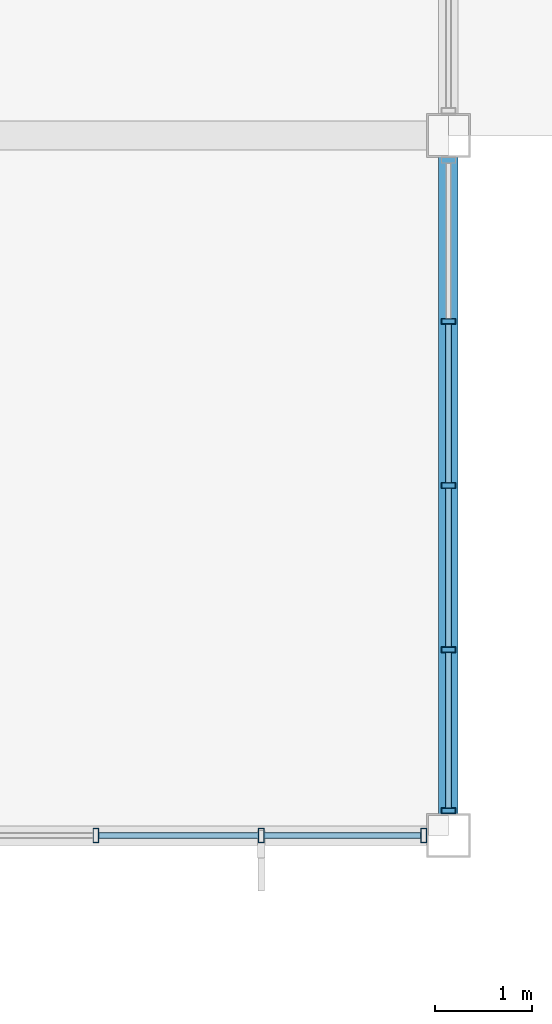
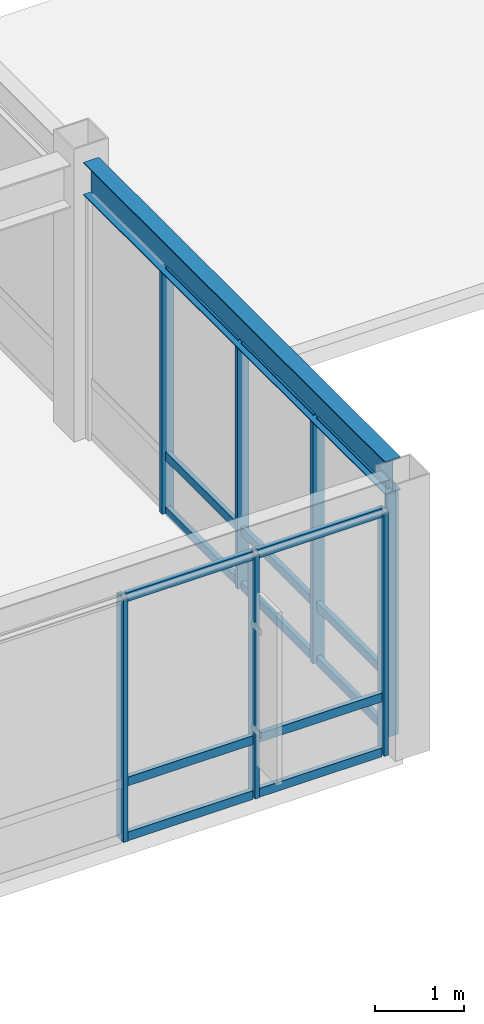
# One storey, part 36 of 113: 22 members, 1 beam, 2 elements without a shape of their own.
"""IFC4 building model written with IfcOpenShell, lengths in metres."""

from ifc_helpers import new_model, si_unit, direction, frame, origin, origin_2d, place, context, subcontext, project, spatial, hollow_rectangle, i_section, extrude, material, material_profile, profile_set, type_object, element, aggregate, save


model = new_model("IFC4")

# Units and contexts
model_context = context("Model", 3, precision=1e-05, world=origin(), true_north=direction((0.0, 1.0)))
body_context = subcontext(model_context, "Body", "Model", "MODEL_VIEW")
ifc_project = project(units=[si_unit("LENGTHUNIT", "METRE"), si_unit("AREAUNIT", "SQUARE_METRE"), si_unit("VOLUMEUNIT", "CUBIC_METRE"), si_unit("PLANEANGLEUNIT", "RADIAN"), si_unit("MASSUNIT", "GRAM", prefix="KILO")], contexts=[model_context])

# Site, building, storey
site_placement = place(None, origin())
site = spatial("IfcSite", under=ifc_project, at=site_placement, CompositionType="ELEMENT")
building_placement = place(site_placement, origin())
building = spatial("IfcBuilding", under=site, at=building_placement, Name="Kazanami Central Library", CompositionType="ELEMENT")
storey_placement = place(building_placement, frame((0.0, 0.0, 8.800048828125)))
storey = spatial("IfcBuildingStorey", under=building, at=storey_placement, Name="L03", CompositionType="ELEMENT", Elevation=8.800048828125)

# Beam
ifc_material_1 = material(Name="Steel SN490B (325 MPa)", Category="steel")
ifc_material_profile_1 = material_profile(ifc_material_1, i_section(OverallWidth=0.199951171875, OverallDepth=0.449951171875, WebThickness=0.009033203125, FlangeThickness=0.013916015625, at=origin_2d()), Name="H-450x200x9x14")
ifc_profile_set_1 = profile_set([ifc_material_profile_1], Name="Steel SN490B (325 MPa)")
beam_type = type_object("IfcBeamType", Name="BM-SP-2", PredefinedType="SPANDREL", material=ifc_profile_set_1)
beam_placement = place(storey_placement, frame((36.0, 57.822998046875, 3.554931640625), z_axis=(0.0, 1.0, 0.0), x_axis=(-1.0, 0.0, 0.0)))
element("IfcBeam", 1, at=beam_placement, inside=storey, type_object=beam_type, Name="Girder SP-2 L03 5/J-K", PredefinedType="SPANDREL", context=body_context, shape_type="SweptSolid", body=[
    extrude(i_section(OverallWidth=0.199951171875, OverallDepth=0.449951171875, WebThickness=0.009033203125, FlangeThickness=0.013916015625, at=origin_2d()), origin(), (0.0, 0.0, 1.0), 6.75390625),
])

# Curtain wall, members
ifc_material_2 = material(Name="Acid-Etched Low-E Laminated Glass", Category="glass")
curtain_wall_type_1 = type_object("IfcCurtainWallType", Name="CW-8500x3330-M180", PredefinedType="USERDEFINED", material=ifc_material_2)
curtain_wall_1_placement = place(storey_placement, origin())
curtain_wall_1 = element("IfcCurtainWall", 2, at=curtain_wall_1_placement, inside=storey, type_object=curtain_wall_type_1, Name="Unitised Curtain Wall CW-28 L03 S-J-03", ObjectType="UNITISED CURTAIN WALL", PredefinedType="USERDEFINED")
ifc_material_3 = material(Name="Anodised Aluminium A6063-T5", Category="aluminium")
ifc_material_profile_2 = material_profile(ifc_material_3, hollow_rectangle(XDim=0.06005859375, YDim=0.14990234375, WallThickness=0.00390625, at=origin_2d()), Name="ALU-MULL-60x150x4")
ifc_profile_set_2 = profile_set([ifc_material_profile_2], Name="Anodised Aluminium A6063-T5")
member_type_1 = type_object("IfcMemberType", Name="MEM-CW-M3", PredefinedType="MULLION", material=ifc_profile_set_2)
member_1_placement = place(storey_placement, frame((32.375, 57.60009765625, 0.0), z_axis=(0.0, 0.0, 1.0), x_axis=(1.0, 0.0, 0.0)))
member_1 = element("IfcMember", 3, at=member_1_placement, type_object=member_type_1, Name="CW-28 mullion 4", PredefinedType="MULLION", context=body_context, shape_type="SweptSolid", body=[
    extrude(hollow_rectangle(XDim=0.06005859375, YDim=0.14990234375, WallThickness=0.00390625, at=origin_2d()), origin(), (0.0, 0.0, 1.0), 3.329833984375),
])
member_2_placement = place(storey_placement, frame((34.074951171875, 57.60009765625, 0.0), z_axis=(0.0, 0.0, 1.0), x_axis=(1.0, 0.0, 0.0)))
member_2 = element("IfcMember", 4, at=member_2_placement, type_object=member_type_1, Name="CW-28 mullion 5", PredefinedType="MULLION", context=body_context, shape_type="SweptSolid", body=[
    extrude(hollow_rectangle(XDim=0.06005859375, YDim=0.14990234375, WallThickness=0.00390625, at=origin_2d()), origin(), (0.0, 0.0, 1.0), 3.329833984375),
])
member_3_placement = place(storey_placement, frame((35.7451171875, 57.60009765625, 0.0), z_axis=(0.0, 0.0, 1.0), x_axis=(1.0, 0.0, 0.0)))
member_3 = element("IfcMember", 5, at=member_3_placement, type_object=member_type_1, Name="CW-28 mullion 6", PredefinedType="MULLION", context=body_context, shape_type="SweptSolid", body=[
    extrude(hollow_rectangle(XDim=0.06005859375, YDim=0.14990234375, WallThickness=0.00390625, at=origin_2d()), origin(), (0.0, 0.0, 1.0), 3.329833984375),
])

curtain_wall_type_2 = type_object("IfcCurtainWallType", Name="CW-6750x3330-M180", PredefinedType="USERDEFINED", material=ifc_material_2)
curtain_wall_2_placement = place(storey_placement, origin())
curtain_wall_2 = element("IfcCurtainWall", 6, at=curtain_wall_2_placement, inside=storey, type_object=curtain_wall_type_2, Name="Covered Link Bridge Curtain Wall CW-34 L03 E-5-08", ObjectType="UNITISED CURTAIN WALL", PredefinedType="USERDEFINED")
member_4_placement = place(storey_placement, frame((36.0, 62.887451171875, 0.0), z_axis=(0.0, 0.0, 1.0), x_axis=(0.0, -1.0, 0.0)))
member_4 = element("IfcMember", 7, at=member_4_placement, type_object=member_type_1, Name="CW-34 mullion 2", PredefinedType="MULLION", context=body_context, shape_type="SweptSolid", body=[
    extrude(hollow_rectangle(XDim=0.06005859375, YDim=0.14990234375, WallThickness=0.00390625, at=origin_2d()), origin(), (0.0, 0.0, 1.0), 3.329833984375),
])
member_5_placement = place(storey_placement, frame((36.0, 61.199951171875, 0.0), z_axis=(0.0, 0.0, 1.0), x_axis=(0.0, -1.0, 0.0)))
member_5 = element("IfcMember", 8, at=member_5_placement, type_object=member_type_1, Name="CW-34 mullion 3", PredefinedType="MULLION", context=body_context, shape_type="SweptSolid", body=[
    extrude(hollow_rectangle(XDim=0.06005859375, YDim=0.14990234375, WallThickness=0.00390625, at=origin_2d()), origin(), (0.0, 0.0, 1.0), 3.329833984375),
])
member_6_placement = place(storey_placement, frame((36.0, 59.512451171875, 0.0), z_axis=(0.0, 0.0, 1.0), x_axis=(0.0, -1.0, 0.0)))
member_6 = element("IfcMember", 9, at=member_6_placement, type_object=member_type_1, Name="CW-34 mullion 4", PredefinedType="MULLION", context=body_context, shape_type="SweptSolid", body=[
    extrude(hollow_rectangle(XDim=0.06005859375, YDim=0.14990234375, WallThickness=0.00390625, at=origin_2d()), origin(), (0.0, 0.0, 1.0), 3.329833984375),
])
member_7_placement = place(storey_placement, frame((36.0, 57.85498046875, 0.0), z_axis=(0.0, 0.0, 1.0), x_axis=(0.0, -1.0, 0.0)))
member_7 = element("IfcMember", 10, at=member_7_placement, type_object=member_type_1, Name="CW-34 mullion 5", PredefinedType="MULLION", context=body_context, shape_type="SweptSolid", body=[
    extrude(hollow_rectangle(XDim=0.06005859375, YDim=0.14990234375, WallThickness=0.00390625, at=origin_2d()), origin(), (0.0, 0.0, 1.0), 3.329833984375),
])

# Member
ifc_material_profile_3 = material_profile(ifc_material_3, hollow_rectangle(XDim=0.06005859375, YDim=0.1201171875, WallThickness=0.00341796875, at=origin_2d()), Name="ALU-TRAN-60x120x3.5")
ifc_profile_set_3 = profile_set([ifc_material_profile_3], Name="Anodised Aluminium A6063-T5")
member_type_2 = type_object("IfcMemberType", Name="MEM-CW-T3", PredefinedType="USERDEFINED", material=ifc_profile_set_3)
member_8_placement = place(storey_placement, frame((32.405029296875, 57.60009765625, 0.030029296875), z_axis=(1.0, 0.0, 0.0), x_axis=(0.0, 1.0, 0.0)))
member_8 = element("IfcMember", 11, at=member_8_placement, type_object=member_type_2, Name="CW-28 transom 4.1", ObjectType="TRANSOM", PredefinedType="USERDEFINED", context=body_context, shape_type="SweptSolid", body=[
    extrude(hollow_rectangle(XDim=0.06005859375, YDim=0.1201171875, WallThickness=0.00341796875, at=origin_2d()), origin(), (0.0, 0.0, 1.0), 1.639892578125),
])

member_9_placement = place(storey_placement, frame((32.405029296875, 57.60009765625, 0.780029296875), z_axis=(1.0, 0.0, 0.0), x_axis=(0.0, 1.0, 0.0)))
member_9 = element("IfcMember", 12, at=member_9_placement, type_object=member_type_2, Name="CW-28 transom 4.2", ObjectType="TRANSOM", PredefinedType="USERDEFINED", context=body_context, shape_type="SweptSolid", body=[
    extrude(hollow_rectangle(XDim=0.06005859375, YDim=0.1201171875, WallThickness=0.00341796875, at=origin_2d()), origin(), (0.0, 0.0, 1.0), 1.639892578125),
])

member_10_placement = place(storey_placement, frame((32.405029296875, 57.60009765625, 3.300048828125), z_axis=(1.0, 0.0, 0.0), x_axis=(0.0, 1.0, 0.0)))
member_10 = element("IfcMember", 13, at=member_10_placement, type_object=member_type_2, Name="CW-28 transom 4.3", ObjectType="TRANSOM", PredefinedType="USERDEFINED", context=body_context, shape_type="SweptSolid", body=[
    extrude(hollow_rectangle(XDim=0.06005859375, YDim=0.1201171875, WallThickness=0.00341796875, at=origin_2d()), origin(), (0.0, 0.0, 1.0), 1.639892578125),
])

member_11_placement = place(storey_placement, frame((34.10498046875, 57.60009765625, 0.030029296875), z_axis=(1.0, 0.0, 0.0), x_axis=(0.0, 1.0, 0.0)))
member_11 = element("IfcMember", 14, at=member_11_placement, type_object=member_type_2, Name="CW-28 transom 5.1", ObjectType="TRANSOM", PredefinedType="USERDEFINED", context=body_context, shape_type="SweptSolid", body=[
    extrude(hollow_rectangle(XDim=0.06005859375, YDim=0.1201171875, WallThickness=0.00341796875, at=origin_2d()), origin(), (0.0, 0.0, 1.0), 1.610107421875),
])

member_12_placement = place(storey_placement, frame((34.10498046875, 57.60009765625, 0.780029296875), z_axis=(1.0, 0.0, 0.0), x_axis=(0.0, 1.0, 0.0)))
member_12 = element("IfcMember", 15, at=member_12_placement, type_object=member_type_2, Name="CW-28 transom 5.2", ObjectType="TRANSOM", PredefinedType="USERDEFINED", context=body_context, shape_type="SweptSolid", body=[
    extrude(hollow_rectangle(XDim=0.06005859375, YDim=0.1201171875, WallThickness=0.00341796875, at=origin_2d()), origin(), (0.0, 0.0, 1.0), 1.610107421875),
])

member_13_placement = place(storey_placement, frame((34.10498046875, 57.60009765625, 3.300048828125), z_axis=(1.0, 0.0, 0.0), x_axis=(0.0, 1.0, 0.0)))
member_13 = element("IfcMember", 16, at=member_13_placement, type_object=member_type_2, Name="CW-28 transom 5.3", ObjectType="TRANSOM", PredefinedType="USERDEFINED", context=body_context, shape_type="SweptSolid", body=[
    extrude(hollow_rectangle(XDim=0.06005859375, YDim=0.1201171875, WallThickness=0.00341796875, at=origin_2d()), origin(), (0.0, 0.0, 1.0), 1.610107421875),
])

aggregate(curtain_wall_1, [member_1, member_2, member_3, member_8, member_9, member_10, member_11, member_12, member_13])

member_14_placement = place(storey_placement, frame((36.0, 62.857421875, 0.030029296875), z_axis=(0.0, -1.0, 0.0), x_axis=(1.0, 0.0, 0.0)))
member_14 = element("IfcMember", 17, at=member_14_placement, type_object=member_type_2, Name="CW-34 transom 2.1", ObjectType="TRANSOM", PredefinedType="USERDEFINED", context=body_context, shape_type="SweptSolid", body=[
    extrude(hollow_rectangle(XDim=0.06005859375, YDim=0.1201171875, WallThickness=0.00341796875, at=origin_2d()), origin(), (0.0, 0.0, 1.0), 1.62744140625),
])

member_15_placement = place(storey_placement, frame((36.0, 62.857421875, 0.780029296875), z_axis=(0.0, -1.0, 0.0), x_axis=(1.0, 0.0, 0.0)))
member_15 = element("IfcMember", 18, at=member_15_placement, type_object=member_type_2, Name="CW-34 transom 2.2", ObjectType="TRANSOM", PredefinedType="USERDEFINED", context=body_context, shape_type="SweptSolid", body=[
    extrude(hollow_rectangle(XDim=0.06005859375, YDim=0.1201171875, WallThickness=0.00341796875, at=origin_2d()), origin(), (0.0, 0.0, 1.0), 1.62744140625),
])

member_16_placement = place(storey_placement, frame((36.0, 62.857421875, 3.300048828125), z_axis=(0.0, -1.0, 0.0), x_axis=(1.0, 0.0, 0.0)))
member_16 = element("IfcMember", 19, at=member_16_placement, type_object=member_type_2, Name="CW-34 transom 2.3", ObjectType="TRANSOM", PredefinedType="USERDEFINED", context=body_context, shape_type="SweptSolid", body=[
    extrude(hollow_rectangle(XDim=0.06005859375, YDim=0.1201171875, WallThickness=0.00341796875, at=origin_2d()), origin(), (0.0, 0.0, 1.0), 1.62744140625),
])

member_17_placement = place(storey_placement, frame((36.0, 61.169921875, 0.030029296875), z_axis=(0.0, -1.0, 0.0), x_axis=(1.0, 0.0, 0.0)))
member_17 = element("IfcMember", 20, at=member_17_placement, type_object=member_type_2, Name="CW-34 transom 3.1", ObjectType="TRANSOM", PredefinedType="USERDEFINED", context=body_context, shape_type="SweptSolid", body=[
    extrude(hollow_rectangle(XDim=0.06005859375, YDim=0.1201171875, WallThickness=0.00341796875, at=origin_2d()), origin(), (0.0, 0.0, 1.0), 1.62744140625),
])

member_18_placement = place(storey_placement, frame((36.0, 61.169921875, 0.780029296875), z_axis=(0.0, -1.0, 0.0), x_axis=(1.0, 0.0, 0.0)))
member_18 = element("IfcMember", 21, at=member_18_placement, type_object=member_type_2, Name="CW-34 transom 3.2", ObjectType="TRANSOM", PredefinedType="USERDEFINED", context=body_context, shape_type="SweptSolid", body=[
    extrude(hollow_rectangle(XDim=0.06005859375, YDim=0.1201171875, WallThickness=0.00341796875, at=origin_2d()), origin(), (0.0, 0.0, 1.0), 1.62744140625),
])

member_19_placement = place(storey_placement, frame((36.0, 61.169921875, 3.300048828125), z_axis=(0.0, -1.0, 0.0), x_axis=(1.0, 0.0, 0.0)))
member_19 = element("IfcMember", 22, at=member_19_placement, type_object=member_type_2, Name="CW-34 transom 3.3", ObjectType="TRANSOM", PredefinedType="USERDEFINED", context=body_context, shape_type="SweptSolid", body=[
    extrude(hollow_rectangle(XDim=0.06005859375, YDim=0.1201171875, WallThickness=0.00341796875, at=origin_2d()), origin(), (0.0, 0.0, 1.0), 1.62744140625),
])

member_20_placement = place(storey_placement, frame((36.0, 59.482421875, 0.030029296875), z_axis=(0.0, -1.0, 0.0), x_axis=(1.0, 0.0, 0.0)))
member_20 = element("IfcMember", 23, at=member_20_placement, type_object=member_type_2, Name="CW-34 transom 4.1", ObjectType="TRANSOM", PredefinedType="USERDEFINED", context=body_context, shape_type="SweptSolid", body=[
    extrude(hollow_rectangle(XDim=0.06005859375, YDim=0.1201171875, WallThickness=0.00341796875, at=origin_2d()), origin(), (0.0, 0.0, 1.0), 1.597412109375),
])

member_21_placement = place(storey_placement, frame((36.0, 59.482421875, 0.780029296875), z_axis=(0.0, -1.0, 0.0), x_axis=(1.0, 0.0, 0.0)))
member_21 = element("IfcMember", 24, at=member_21_placement, type_object=member_type_2, Name="CW-34 transom 4.2", ObjectType="TRANSOM", PredefinedType="USERDEFINED", context=body_context, shape_type="SweptSolid", body=[
    extrude(hollow_rectangle(XDim=0.06005859375, YDim=0.1201171875, WallThickness=0.00341796875, at=origin_2d()), origin(), (0.0, 0.0, 1.0), 1.597412109375),
])

member_22_placement = place(storey_placement, frame((36.0, 59.482421875, 3.300048828125), z_axis=(0.0, -1.0, 0.0), x_axis=(1.0, 0.0, 0.0)))
member_22 = element("IfcMember", 25, at=member_22_placement, type_object=member_type_2, Name="CW-34 transom 4.3", ObjectType="TRANSOM", PredefinedType="USERDEFINED", context=body_context, shape_type="SweptSolid", body=[
    extrude(hollow_rectangle(XDim=0.06005859375, YDim=0.1201171875, WallThickness=0.00341796875, at=origin_2d()), origin(), (0.0, 0.0, 1.0), 1.597412109375),
])

aggregate(curtain_wall_2, [member_4, member_5, member_6, member_7, member_14, member_15, member_16, member_17, member_18, member_19, member_20, member_21, member_22])

save(model, "model.ifc")
